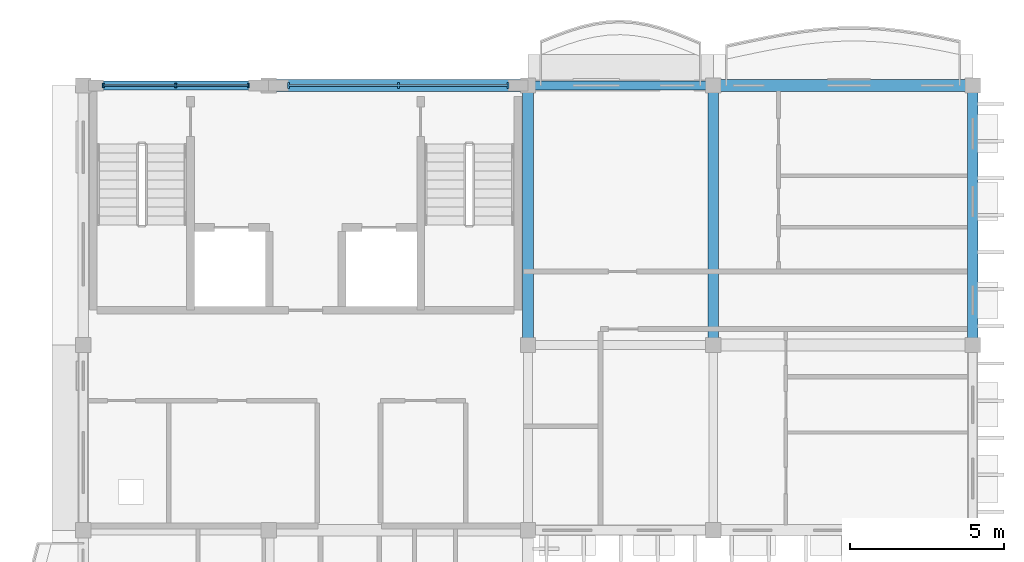
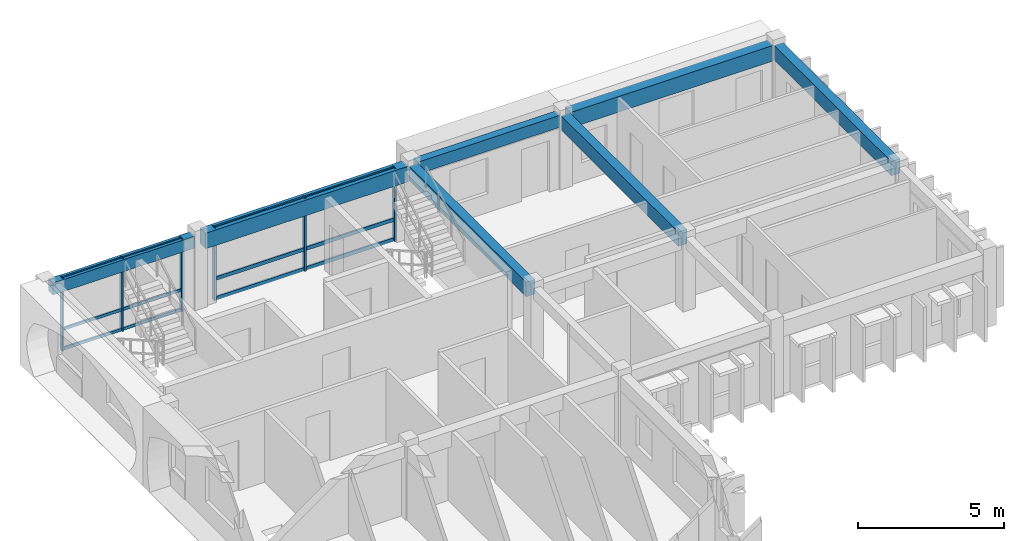
# One storey, part 2 of 11: 12 members, 7 beams, 2 elements without a shape of their own.
"""IFC4 building model written with IfcOpenShell, lengths in metres."""

from ifc_helpers import new_model, si_unit, direction, frame, origin, origin_2d, place, context, subcontext, project, spatial, rectangle, extrude, material, material_profile, profile_set, type_object, element, aggregate, save


model = new_model("IFC4")

# Units and contexts
model_context = context("Model", 3, precision=1e-05, world=origin(), true_north=direction((0.0, 1.0)))
body_context = subcontext(model_context, "Body", "Model", "MODEL_VIEW")
ifc_project = project(units=[si_unit("LENGTHUNIT", "METRE"), si_unit("AREAUNIT", "SQUARE_METRE"), si_unit("VOLUMEUNIT", "CUBIC_METRE"), si_unit("PLANEANGLEUNIT", "RADIAN"), si_unit("MASSUNIT", "GRAM", prefix="KILO"), si_unit("THERMODYNAMICTEMPERATUREUNIT", "KELVIN")], contexts=[model_context])

# Site, building, storey
site_placement = place(None, origin())
site = spatial("IfcSite", under=ifc_project, at=site_placement, CompositionType="ELEMENT")
building_placement = place(site_placement, origin())
building = spatial("IfcBuilding", under=site, at=building_placement, Name="Thalorik Housing Commons", CompositionType="ELEMENT")
storey_placement = place(building_placement, frame((0.0, 0.0, 47.699951171875)))
storey = spatial("IfcBuildingStorey", under=building, at=storey_placement, Name="L14", CompositionType="ELEMENT", Elevation=47.699951171875)

# Curtain wall, members
ifc_material_1 = material(Name="Anodised aluminium and solar-control low-E glass", Category="aluminium")
curtain_wall_type = type_object("IfcCurtainWallType", Name="ARC-CW-CORE", PredefinedType="USERDEFINED", material=ifc_material_1)
curtain_wall_1_placement = place(storey_placement, origin())
curtain_wall_1 = element("IfcCurtainWall", 1, at=curtain_wall_1_placement, inside=storey, type_object=curtain_wall_type, Name="L14 Curtain Wall CW-CORE-L14-A-063", ObjectType="CURTAIN WALL", PredefinedType="USERDEFINED")
ifc_material_2 = material(Name="Anodised aluminium 6063-T6", Category="aluminium")
ifc_material_profile_1 = material_profile(ifc_material_2, rectangle(XDim=0.06005859375, YDim=0.159912109375, at=origin_2d()), Name="ALU MUL 60x160", Category="aluminium")
ifc_profile_set_1 = profile_set([ifc_material_profile_1], Name="Anodised aluminium 6063-T6")
member_type_1 = type_object("IfcMemberType", Name="ARC-CW-MUL-60x160", PredefinedType="MULLION", material=ifc_profile_set_1)
member_1_placement = place(storey_placement, frame((13.75, 123.60009765625, 0.0), z_axis=(0.0, 0.0, 1.0), x_axis=(-1.0, 0.0, 0.0)))
member_1 = element("IfcMember", 2, at=member_1_placement, type_object=member_type_1, Name="CW-CORE-L14-A-063 Mullion 1", PredefinedType="MULLION", context=body_context, shape_type="SweptSolid", body=[
    extrude(rectangle(XDim=0.06005859375, YDim=0.159912109375, at=origin_2d()), origin(), (0.0, 0.0, 1.0), 3.0400390625),
])
member_2_placement = place(storey_placement, frame((11.39990234375, 123.60009765625, 0.0), z_axis=(0.0, 0.0, 1.0), x_axis=(-1.0, 0.0, 0.0)))
member_2 = element("IfcMember", 3, at=member_2_placement, type_object=member_type_1, Name="CW-CORE-L14-A-063 Mullion 2", PredefinedType="MULLION", context=body_context, shape_type="SweptSolid", body=[
    extrude(rectangle(XDim=0.06005859375, YDim=0.159912109375, at=origin_2d()), origin(), (0.0, 0.0, 1.0), 3.0400390625),
])
member_3_placement = place(storey_placement, frame((9.050048828125, 123.60009765625, 0.0), z_axis=(0.0, 0.0, 1.0), x_axis=(-1.0, 0.0, 0.0)))
member_3 = element("IfcMember", 4, at=member_3_placement, type_object=member_type_1, Name="CW-CORE-L14-A-063 Mullion 3", PredefinedType="MULLION", context=body_context, shape_type="SweptSolid", body=[
    extrude(rectangle(XDim=0.06005859375, YDim=0.159912109375, at=origin_2d()), origin(), (0.0, 0.0, 1.0), 3.0400390625),
])

curtain_wall_2_placement = place(storey_placement, origin())
curtain_wall_2 = element("IfcCurtainWall", 5, at=curtain_wall_2_placement, inside=storey, type_object=curtain_wall_type, Name="L14 Curtain Wall CW-CORE-L14-A-062", ObjectType="CURTAIN WALL", PredefinedType="USERDEFINED")
ifc_material_profile_2 = material_profile(ifc_material_2, rectangle(XDim=0.06494140625, YDim=0.179931640625, at=origin_2d()), Name="ALU MUL 65x180", Category="aluminium")
ifc_profile_set_2 = profile_set([ifc_material_profile_2], Name="Anodised aluminium 6063-T6")
member_type_2 = type_object("IfcMemberType", Name="ARC-CW-MUL-65x180", PredefinedType="MULLION", material=ifc_profile_set_2)
member_4_placement = place(storey_placement, frame((22.14990234375, 123.60009765625, 0.0), z_axis=(0.0, 0.0, 1.0), x_axis=(-1.0, 0.0, 0.0)))
member_4 = element("IfcMember", 6, at=member_4_placement, type_object=member_type_2, Name="CW-CORE-L14-A-062 Mullion 1", PredefinedType="MULLION", context=body_context, shape_type="SweptSolid", body=[
    extrude(rectangle(XDim=0.06494140625, YDim=0.179931640625, at=origin_2d()), origin(), (0.0, 0.0, 1.0), 3.0400390625),
])
member_5_placement = place(storey_placement, frame((18.60009765625, 123.60009765625, 0.0), z_axis=(0.0, 0.0, 1.0), x_axis=(-1.0, 0.0, 0.0)))
member_5 = element("IfcMember", 7, at=member_5_placement, type_object=member_type_2, Name="CW-CORE-L14-A-062 Mullion 2", PredefinedType="MULLION", context=body_context, shape_type="SweptSolid", body=[
    extrude(rectangle(XDim=0.06494140625, YDim=0.179931640625, at=origin_2d()), origin(), (0.0, 0.0, 1.0), 3.0400390625),
])
member_6_placement = place(storey_placement, frame((15.050048828125, 123.60009765625, 0.0), z_axis=(0.0, 0.0, 1.0), x_axis=(-1.0, 0.0, 0.0)))
member_6 = element("IfcMember", 8, at=member_6_placement, type_object=member_type_2, Name="CW-CORE-L14-A-062 Mullion 3", PredefinedType="MULLION", context=body_context, shape_type="SweptSolid", body=[
    extrude(rectangle(XDim=0.06494140625, YDim=0.179931640625, at=origin_2d()), origin(), (0.0, 0.0, 1.0), 3.0400390625),
])

# Member
ifc_material_profile_3 = material_profile(ifc_material_2, rectangle(XDim=0.06005859375, YDim=0.1201171875, at=origin_2d()), Name="ALU TRN 60x120", Category="aluminium")
ifc_profile_set_3 = profile_set([ifc_material_profile_3], Name="Anodised aluminium 6063-T6")
member_type_3 = type_object("IfcMemberType", Name="ARC-CW-TRN-60x120", PredefinedType="USERDEFINED", material=ifc_profile_set_3)
member_7_placement = place(storey_placement, frame((13.75, 123.60009765625, 0.054931640625), z_axis=(-1.0, 0.0, 0.0), x_axis=(0.0, -1.0, 0.0)))
member_7 = element("IfcMember", 9, at=member_7_placement, type_object=member_type_3, Name="CW-CORE-L14-A-063 Transom 1", ObjectType="TRANSOM", PredefinedType="USERDEFINED", context=body_context, shape_type="SweptSolid", body=[
    extrude(rectangle(XDim=0.06005859375, YDim=0.1201171875, at=origin_2d()), origin(), (0.0, 0.0, 1.0), 4.699951171875),
])

member_8_placement = place(storey_placement, frame((13.75, 123.60009765625, 0.880126953125), z_axis=(-1.0, 0.0, 0.0), x_axis=(0.0, -1.0, 0.0)))
member_8 = element("IfcMember", 10, at=member_8_placement, type_object=member_type_3, Name="CW-CORE-L14-A-063 Transom 2", ObjectType="TRANSOM", PredefinedType="USERDEFINED", context=body_context, shape_type="SweptSolid", body=[
    extrude(rectangle(XDim=0.06005859375, YDim=0.1201171875, at=origin_2d()), origin(), (0.0, 0.0, 1.0), 4.699951171875),
])

member_9_placement = place(storey_placement, frame((13.75, 123.60009765625, 2.985107421875), z_axis=(-1.0, 0.0, 0.0), x_axis=(0.0, -1.0, 0.0)))
member_9 = element("IfcMember", 11, at=member_9_placement, type_object=member_type_3, Name="CW-CORE-L14-A-063 Transom 3", ObjectType="TRANSOM", PredefinedType="USERDEFINED", context=body_context, shape_type="SweptSolid", body=[
    extrude(rectangle(XDim=0.06005859375, YDim=0.1201171875, at=origin_2d()), origin(), (0.0, 0.0, 1.0), 4.699951171875),
])

aggregate(curtain_wall_1, [member_1, member_2, member_3, member_7, member_8, member_9])

ifc_material_profile_4 = material_profile(ifc_material_2, rectangle(XDim=0.06494140625, YDim=0.14990234375, at=origin_2d()), Name="ALU TRN 65x150", Category="aluminium")
ifc_profile_set_4 = profile_set([ifc_material_profile_4], Name="Anodised aluminium 6063-T6")
member_type_4 = type_object("IfcMemberType", Name="ARC-CW-TRN-65x150", PredefinedType="USERDEFINED", material=ifc_profile_set_4)
member_10_placement = place(storey_placement, frame((22.14990234375, 123.60009765625, 0.054931640625), z_axis=(-1.0, 0.0, 0.0), x_axis=(0.0, -1.0, 0.0)))
member_10 = element("IfcMember", 12, at=member_10_placement, type_object=member_type_4, Name="CW-CORE-L14-A-062 Transom 1", ObjectType="TRANSOM", PredefinedType="USERDEFINED", context=body_context, shape_type="SweptSolid", body=[
    extrude(rectangle(XDim=0.06494140625, YDim=0.14990234375, at=origin_2d()), origin(), (0.0, 0.0, 1.0), 7.099853515625),
])

member_11_placement = place(storey_placement, frame((22.14990234375, 123.60009765625, 0.880126953125), z_axis=(-1.0, 0.0, 0.0), x_axis=(0.0, -1.0, 0.0)))
member_11 = element("IfcMember", 13, at=member_11_placement, type_object=member_type_4, Name="CW-CORE-L14-A-062 Transom 2", ObjectType="TRANSOM", PredefinedType="USERDEFINED", context=body_context, shape_type="SweptSolid", body=[
    extrude(rectangle(XDim=0.06494140625, YDim=0.14990234375, at=origin_2d()), origin(), (0.0, 0.0, 1.0), 7.099853515625),
])

member_12_placement = place(storey_placement, frame((22.14990234375, 123.60009765625, 2.985107421875), z_axis=(-1.0, 0.0, 0.0), x_axis=(0.0, -1.0, 0.0)))
member_12 = element("IfcMember", 14, at=member_12_placement, type_object=member_type_4, Name="CW-CORE-L14-A-062 Transom 3", ObjectType="TRANSOM", PredefinedType="USERDEFINED", context=body_context, shape_type="SweptSolid", body=[
    extrude(rectangle(XDim=0.06494140625, YDim=0.14990234375, at=origin_2d()), origin(), (0.0, 0.0, 1.0), 7.099853515625),
])

aggregate(curtain_wall_2, [member_4, member_5, member_6, member_10, member_11, member_12])

# Beams
ifc_material_3 = material(Name="Precast concrete C40/50", Category="concrete")
ifc_material_profile_5 = material_profile(ifc_material_3, rectangle(XDim=0.300048828125, YDim=0.5, at=origin_2d()), Name="PC 300x500", Category="concrete")
ifc_profile_set_5 = profile_set([ifc_material_profile_5], Name="Precast concrete C40/50")
beam_type_1 = type_object("IfcBeamType", Name="STR-BM-PC300x500", PredefinedType="BEAM", material=ifc_profile_set_5)
beam_1_placement = place(storey_placement, frame((8.60009765625, 123.60009765625, 2.7900390625), z_axis=(1.0, 0.0, 0.0), x_axis=(0.0, 1.0, 0.0)))
element("IfcBeam", 15, at=beam_1_placement, inside=storey, type_object=beam_type_1, Name="L14 Beam B-500", PredefinedType="BEAM", context=body_context, shape_type="SweptSolid", body=[
    extrude(rectangle(XDim=0.300048828125, YDim=0.5, at=origin_2d()), origin(), (0.0, 0.0, 1.0), 5.599853515625),
])
beam_2_placement = place(storey_placement, frame((23.0, 123.60009765625, 2.7900390625), z_axis=(1.0, 0.0, 0.0), x_axis=(0.0, 1.0, 0.0)))
element("IfcBeam", 16, at=beam_2_placement, inside=storey, type_object=beam_type_1, Name="L14 Beam B-500", PredefinedType="BEAM", context=body_context, shape_type="SweptSolid", body=[
    extrude(rectangle(XDim=0.300048828125, YDim=0.5, at=origin_2d()), origin(), (0.0, 0.0, 1.0), 5.60009765625),
])
ifc_material_profile_6 = material_profile(ifc_material_3, rectangle(XDim=0.35009765625, YDim=0.60009765625, at=origin_2d()), Name="PC 350x600", Category="concrete")
ifc_profile_set_6 = profile_set([ifc_material_profile_6], Name="Precast concrete C40/50")
beam_type_2 = type_object("IfcBeamType", Name="STR-BM-PC350x600", PredefinedType="BEAM", material=ifc_profile_set_6)
for number, where, z_axis, x_axis, name in (
    (17, (22.800048828125, 115.39990234375, 2.739990234375), (0.0, 1.0, 0.0), (-1.0, 0.0, 0.0), "L14 Beam B-600"),
    (18, (28.800048828125, 115.39990234375, 2.739990234375), (0.0, 1.0, 0.0), (-1.0, 0.0, 0.0), "L14 Beam B-600"),
    (19, (37.199951171875, 115.39990234375, 2.739990234375), (0.0, 1.0, 0.0), (-1.0, 0.0, 0.0), "L14 Beam B-600"),
):
    element("IfcBeam", number, at=place(storey_placement, frame(where, z_axis=z_axis, x_axis=x_axis)), inside=storey, type_object=beam_type_2, Name=name, PredefinedType="BEAM", context=body_context, shape_type="SweptSolid", body=[
        extrude(rectangle(XDim=0.35009765625, YDim=0.60009765625, at=origin_2d()), origin(), (0.0, 0.0, 1.0), 8.0),
    ])
ifc_material_profile_7 = material_profile(ifc_material_3, rectangle(XDim=0.3798828125, YDim=0.64990234375, at=origin_2d()), Name="PC 380x650", Category="concrete")
ifc_profile_set_7 = profile_set([ifc_material_profile_7], Name="Precast concrete C40/50")
beam_type_3 = type_object("IfcBeamType", Name="STR-BM-PC380x650", PredefinedType="BEAM", material=ifc_profile_set_7)
for number, where, z_axis, x_axis, name in (
    (20, (14.60009765625, 123.60009765625, 2.715087890625), (1.0, 0.0, 0.0), (0.0, 1.0, 0.0), "L14 Beam B-650"),
    (21, (29.0, 123.60009765625, 2.715087890625), (1.0, 0.0, 0.0), (0.0, 1.0, 0.0), "L14 Beam B-650"),
):
    element("IfcBeam", number, at=place(storey_placement, frame(where, z_axis=z_axis, x_axis=x_axis)), inside=storey, type_object=beam_type_3, Name=name, PredefinedType="BEAM", context=body_context, shape_type="SweptSolid", body=[
        extrude(rectangle(XDim=0.3798828125, YDim=0.64990234375, at=origin_2d()), origin(), (0.0, 0.0, 1.0), 8.0),
    ])

save(model, "model.ifc")
